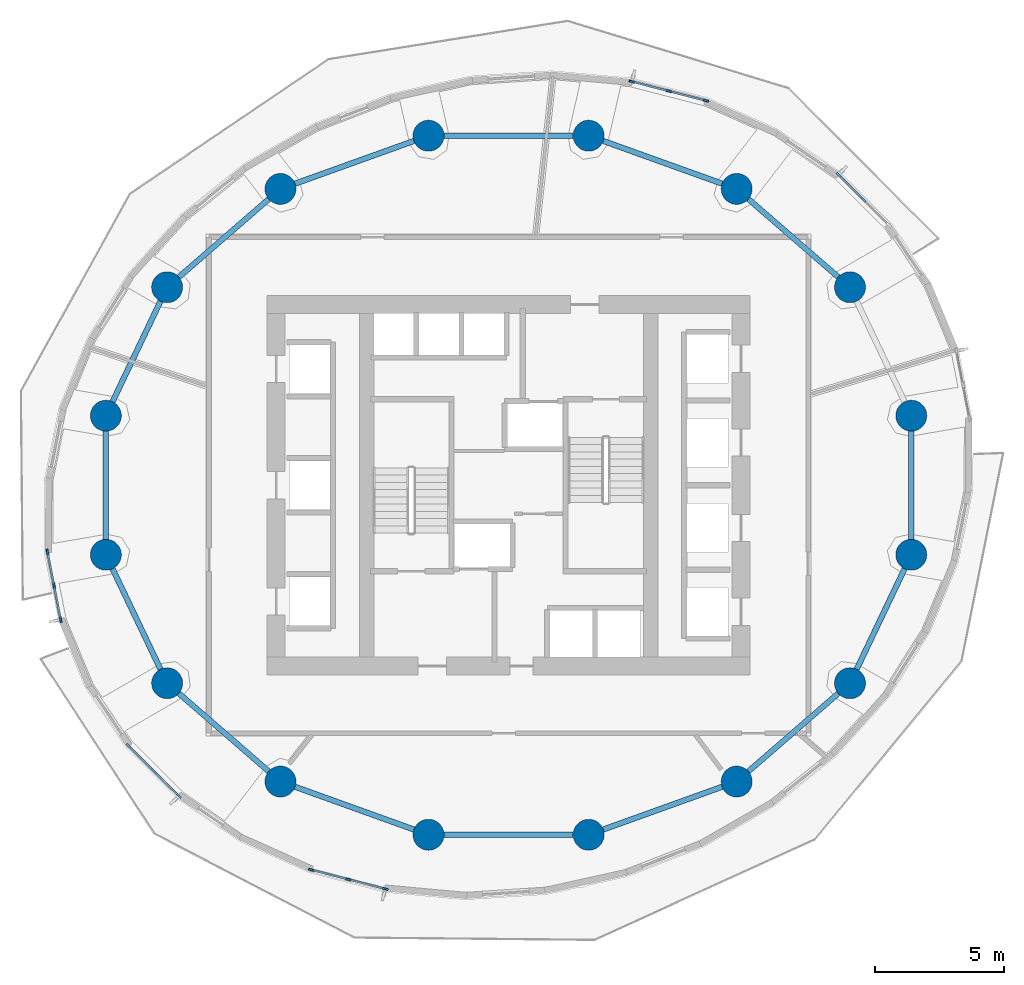
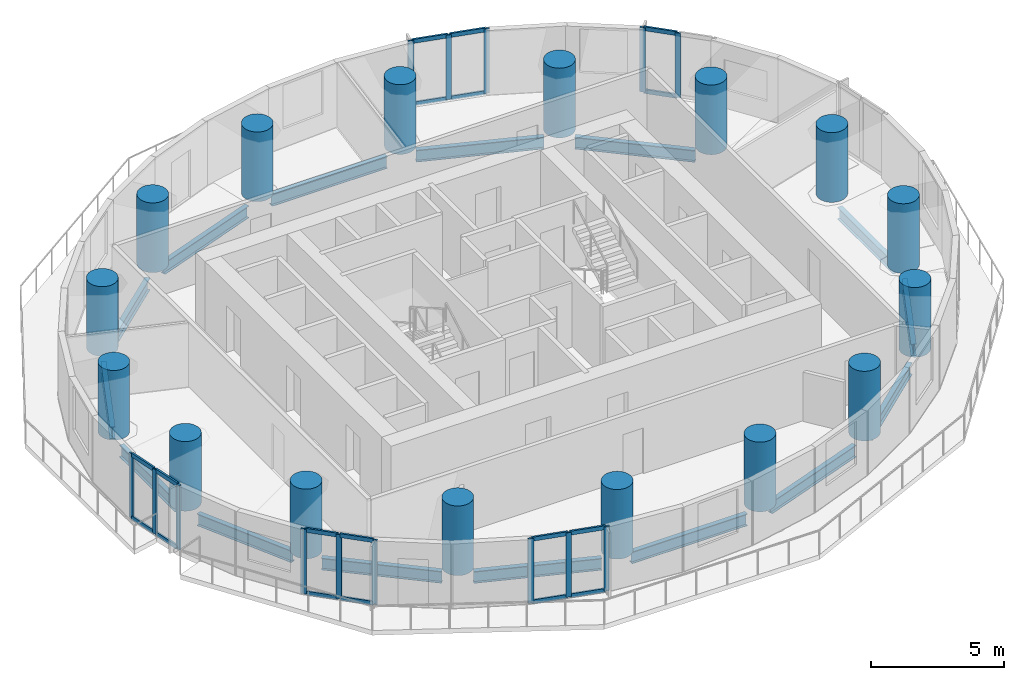
# One storey, part 1 of 10: 32 members, 16 columns, 15 beams, 5 elements without a shape of their own.
"""IFC4 building model written with IfcOpenShell, lengths in metres."""

from ifc_helpers import new_model, si_unit, direction, frame, origin, origin_2d, place, context, subcontext, project, spatial, rectangle, circle, i_section, extrude, material, material_profile, profile_set, type_object, element, aggregate, save


model = new_model("IFC4")

# Units and contexts
model_context = context("Model", 3, precision=1e-05, world=origin(), true_north=direction((0.0, 1.0)))
body_context = subcontext(model_context, "Body", "Model", "MODEL_VIEW")
ifc_project = project(units=[si_unit("LENGTHUNIT", "METRE"), si_unit("AREAUNIT", "SQUARE_METRE"), si_unit("VOLUMEUNIT", "CUBIC_METRE"), si_unit("PLANEANGLEUNIT", "RADIAN"), si_unit("MASSUNIT", "GRAM", prefix="KILO")], contexts=[model_context])

# Site, building, storey
site_placement = place(None, origin())
site = spatial("IfcSite", under=ifc_project, at=site_placement, CompositionType="ELEMENT")
building_placement = place(site_placement, origin())
building = spatial("IfcBuilding", under=site, at=building_placement, Name="Veldorim Arch Residences", CompositionType="ELEMENT")
storey_placement = place(building_placement, frame((0.0, 0.0, 70.8798828125)))
storey = spatial("IfcBuildingStorey", under=building, at=storey_placement, Name="L20", CompositionType="ELEMENT", Elevation=70.8798828125)

# Columns
ifc_material_1 = material(Name="Concrete C60/75", Category="concrete")
ifc_material_profile_1 = material_profile(ifc_material_1, circle(Radius=0.60009765625, at=origin_2d()), Name="RC_CIRC_1200")
ifc_profile_set_1 = profile_set([ifc_material_profile_1], Name="Concrete C60/75")
column_type = type_object("IfcColumnType", Name="Structural Column RC_CIRC_1200", PredefinedType="COLUMN", material=ifc_profile_set_1)
for number, where, z_axis, x_axis, name in (
    (1, (47.594482421875, 26.692138671875, 0.0), (0.0, 0.0, 1.0), (1.0, 0.0, 0.0), "L20 TC-Z2-01 perimeter column"),
    (2, (45.220458984375, 31.6669921875, 0.0), (0.0, 0.0, 1.0), (1.0, 0.0, 0.0), "L20 TC-Z2-02 perimeter column"),
    (3, (40.83349609375, 35.474365234375, 0.0), (0.0, 0.0, 1.0), (1.0, 0.0, 0.0), "L20 TC-Z2-03 perimeter column"),
    (4, (35.101806640625, 37.534912109375, 0.0), (0.0, 0.0, 1.0), (1.0, 0.0, 0.0), "L20 TC-Z2-04 perimeter column"),
    (5, (28.898193359375, 37.534912109375, 0.0), (0.0, 0.0, 1.0), (1.0, 0.0, 0.0), "L20 TC-Z2-05 perimeter column"),
    (6, (23.16650390625, 35.474365234375, 0.0), (0.0, 0.0, 1.0), (1.0, 0.0, 0.0), "L20 TC-Z2-06 perimeter column"),
    (7, (18.779541015625, 31.6669921875, 0.0), (0.0, 0.0, 1.0), (1.0, 0.0, 0.0), "L20 TC-Z2-07 perimeter column"),
    (8, (16.405517578125, 26.692138671875, 0.0), (0.0, 0.0, 1.0), (1.0, 0.0, 0.0), "L20 TC-Z2-08 perimeter column"),
    (9, (16.405517578125, 21.307861328125, 0.0), (0.0, 0.0, 1.0), (1.0, 0.0, 0.0), "L20 TC-Z2-09 perimeter column"),
    (10, (18.779541015625, 16.3330078125, 0.0), (0.0, 0.0, 1.0), (1.0, 0.0, 0.0), "L20 TC-Z2-10 perimeter column"),
    (11, (23.16650390625, 12.525634765625, 0.0), (0.0, 0.0, 1.0), (1.0, 0.0, 0.0), "L20 TC-Z2-11 perimeter column"),
    (12, (28.898193359375, 10.465087890625, 0.0), (0.0, 0.0, 1.0), (1.0, 0.0, 0.0), "L20 TC-Z2-12 perimeter column"),
    (13, (35.101806640625, 10.465087890625, 0.0), (0.0, 0.0, 1.0), (1.0, 0.0, 0.0), "L20 TC-Z2-13 perimeter column"),
    (14, (40.83349609375, 12.525634765625, 0.0), (0.0, 0.0, 1.0), (1.0, 0.0, 0.0), "L20 TC-Z2-14 perimeter column"),
    (15, (45.220458984375, 16.3330078125, 0.0), (0.0, 0.0, 1.0), (1.0, 0.0, 0.0), "L20 TC-Z2-15 perimeter column"),
    (16, (47.594482421875, 21.307861328125, 0.0), (0.0, 0.0, 1.0), (1.0, 0.0, 0.0), "L20 TC-Z2-16 perimeter column"),
):
    element("IfcColumn", number, at=place(storey_placement, frame(where, z_axis=z_axis, x_axis=x_axis)), inside=storey, type_object=column_type, Name=name, PredefinedType="COLUMN", context=body_context, shape_type="SweptSolid", body=[
        extrude(circle(Radius=0.60009765625, at=origin_2d()), origin(), (0.0, 0.0, 1.0), 3.2001953125),
    ])

# Curtain wall, members
ifc_material_2 = material(Name="Aluminium", Category="aluminium")
curtain_wall_type = type_object("IfcCurtainWallType", Name="Sky Lounge & Conservatory Tall Curtain Wall", PredefinedType="NOTDEFINED", material=ifc_material_2)
curtain_wall_1_placement = place(storey_placement, origin())
curtain_wall_1 = element("IfcCurtainWall", 17, at=curtain_wall_1_placement, inside=storey, type_object=curtain_wall_type, Name="L20 unitised curtain wall bay 03", PredefinedType="NOTDEFINED")
ifc_material_3 = material(Name="Aluminium", Category="aluminium")
ifc_material_profile_2 = material_profile(ifc_material_3, rectangle(XDim=0.080078125, YDim=0.219970703125, at=origin_2d()), Name="ALU_MUL_80x220")
ifc_profile_set_2 = profile_set([ifc_material_profile_2], Name="Aluminium")
member_type_1 = type_object("IfcMemberType", Name="Sky Lounge & Conservatory Tall Curtain Wall Mullion 80x220", PredefinedType="MULLION", material=ifc_profile_set_2)
member_1_placement = place(storey_placement, frame((44.770263671875, 36.0263671875, 0.0), z_axis=(0.0, 0.0, 1.0), x_axis=(0.706577179529, 0.707635986485, 0.0)))
member_1 = element("IfcMember", 18, at=member_1_placement, type_object=member_type_1, Name="CW-SKY mullion 1", PredefinedType="MULLION", context=body_context, shape_type="SweptSolid", body=[
    extrude(rectangle(XDim=0.080078125, YDim=0.219970703125, at=origin_2d()), origin(), (0.0, 0.0, 1.0), 2.960205078125),
])
member_2_placement = place(storey_placement, frame((45.744384765625, 35.0537109375, 0.0), z_axis=(0.0, 0.0, 1.0), x_axis=(0.706577179529, 0.707635986485, 0.0)))
member_2 = element("IfcMember", 19, at=member_2_placement, type_object=member_type_1, Name="CW-SKY mullion 2", PredefinedType="MULLION", context=body_context, shape_type="SweptSolid", body=[
    extrude(rectangle(XDim=0.080078125, YDim=0.219970703125, at=origin_2d()), origin(), (0.0, 0.0, 1.0), 2.960205078125),
])

curtain_wall_2_placement = place(storey_placement, origin())
curtain_wall_2 = element("IfcCurtainWall", 20, at=curtain_wall_2_placement, inside=storey, type_object=curtain_wall_type, Name="L20 unitised curtain wall bay 06", PredefinedType="NOTDEFINED")
member_3_placement = place(storey_placement, frame((36.77294921875, 39.63232421875, 0.0), z_axis=(0.0, 0.0, 1.0), x_axis=(0.250295673853, 0.968169445733, 0.0)))
member_3 = element("IfcMember", 21, at=member_3_placement, type_object=member_type_1, Name="CW-SKY mullion 1", PredefinedType="MULLION", context=body_context, shape_type="SweptSolid", body=[
    extrude(rectangle(XDim=0.080078125, YDim=0.219970703125, at=origin_2d()), origin(), (0.0, 0.0, 1.0), 2.960205078125),
])
member_4_placement = place(storey_placement, frame((38.206298828125, 39.26171875, 0.0), z_axis=(0.0, 0.0, 1.0), x_axis=(0.250295673853, 0.968169445733, 0.0)))
member_4 = element("IfcMember", 22, at=member_4_placement, type_object=member_type_1, Name="CW-SKY mullion 2", PredefinedType="MULLION", context=body_context, shape_type="SweptSolid", body=[
    extrude(rectangle(XDim=0.080078125, YDim=0.219970703125, at=origin_2d()), origin(), (0.0, 0.0, 1.0), 2.960205078125),
])
member_5_placement = place(storey_placement, frame((39.639892578125, 38.89111328125, 0.0), z_axis=(0.0, 0.0, 1.0), x_axis=(0.250295673853, 0.968169445733, 0.0)))
member_5 = element("IfcMember", 23, at=member_5_placement, type_object=member_type_1, Name="CW-SKY mullion 3", PredefinedType="MULLION", context=body_context, shape_type="SweptSolid", body=[
    extrude(rectangle(XDim=0.080078125, YDim=0.219970703125, at=origin_2d()), origin(), (0.0, 0.0, 1.0), 2.960205078125),
])

curtain_wall_3_placement = place(storey_placement, origin())
curtain_wall_3 = element("IfcCurtainWall", 24, at=curtain_wall_3_placement, inside=storey, type_object=curtain_wall_type, Name="L20 unitised curtain wall bay 18", PredefinedType="NOTDEFINED")
member_6_placement = place(storey_placement, frame((14.657470703125, 18.796142578125, 0.0), z_axis=(0.0, 0.0, 1.0), x_axis=(-0.981476790572, -0.191581078313, 0.0)))
member_6 = element("IfcMember", 25, at=member_6_placement, type_object=member_type_1, Name="CW-SKY mullion 1", PredefinedType="MULLION", context=body_context, shape_type="SweptSolid", body=[
    extrude(rectangle(XDim=0.080078125, YDim=0.219970703125, at=origin_2d()), origin(), (0.0, 0.0, 1.0), 2.960205078125),
])
member_7_placement = place(storey_placement, frame((14.40087890625, 20.110107421875, 0.0), z_axis=(0.0, 0.0, 1.0), x_axis=(-0.981476790572, -0.191581078313, 0.0)))
member_7 = element("IfcMember", 26, at=member_7_placement, type_object=member_type_1, Name="CW-SKY mullion 2", PredefinedType="MULLION", context=body_context, shape_type="SweptSolid", body=[
    extrude(rectangle(XDim=0.080078125, YDim=0.219970703125, at=origin_2d()), origin(), (0.0, 0.0, 1.0), 2.960205078125),
])
member_8_placement = place(storey_placement, frame((14.14453125, 21.424072265625, 0.0), z_axis=(0.0, 0.0, 1.0), x_axis=(-0.981476790572, -0.191581078313, 0.0)))
member_8 = element("IfcMember", 27, at=member_8_placement, type_object=member_type_1, Name="CW-SKY mullion 3", PredefinedType="MULLION", context=body_context, shape_type="SweptSolid", body=[
    extrude(rectangle(XDim=0.080078125, YDim=0.219970703125, at=origin_2d()), origin(), (0.0, 0.0, 1.0), 2.960205078125),
])

curtain_wall_4_placement = place(storey_placement, origin())
curtain_wall_4 = element("IfcCurtainWall", 28, at=curtain_wall_4_placement, inside=storey, type_object=curtain_wall_type, Name="L20 unitised curtain wall bay 21", PredefinedType="NOTDEFINED")
member_9_placement = place(storey_placement, frame((19.229736328125, 11.9736328125, 0.0), z_axis=(0.0, 0.0, 1.0), x_axis=(-0.706577179529, -0.707635986485, 0.0)))
member_9 = element("IfcMember", 29, at=member_9_placement, type_object=member_type_1, Name="CW-SKY mullion 1", PredefinedType="MULLION", context=body_context, shape_type="SweptSolid", body=[
    extrude(rectangle(XDim=0.080078125, YDim=0.219970703125, at=origin_2d()), origin(), (0.0, 0.0, 1.0), 2.960205078125),
])
member_10_placement = place(storey_placement, frame((18.255615234375, 12.9462890625, 0.0), z_axis=(0.0, 0.0, 1.0), x_axis=(-0.706577179529, -0.707635986485, 0.0)))
member_10 = element("IfcMember", 30, at=member_10_placement, type_object=member_type_1, Name="CW-SKY mullion 2", PredefinedType="MULLION", context=body_context, shape_type="SweptSolid", body=[
    extrude(rectangle(XDim=0.080078125, YDim=0.219970703125, at=origin_2d()), origin(), (0.0, 0.0, 1.0), 2.960205078125),
])
member_11_placement = place(storey_placement, frame((17.28125, 13.9189453125, 0.0), z_axis=(0.0, 0.0, 1.0), x_axis=(-0.706577179529, -0.707635986485, 0.0)))
member_11 = element("IfcMember", 31, at=member_11_placement, type_object=member_type_1, Name="CW-SKY mullion 3", PredefinedType="MULLION", context=body_context, shape_type="SweptSolid", body=[
    extrude(rectangle(XDim=0.080078125, YDim=0.219970703125, at=origin_2d()), origin(), (0.0, 0.0, 1.0), 2.960205078125),
])

curtain_wall_5_placement = place(storey_placement, origin())
curtain_wall_5 = element("IfcCurtainWall", 32, at=curtain_wall_5_placement, inside=storey, type_object=curtain_wall_type, Name="L20 unitised curtain wall bay 24", PredefinedType="NOTDEFINED")
member_12_placement = place(storey_placement, frame((27.22705078125, 8.36767578125, 0.0), z_axis=(0.0, 0.0, 1.0), x_axis=(-0.250295673853, -0.968169445733, 0.0)))
member_12 = element("IfcMember", 33, at=member_12_placement, type_object=member_type_1, Name="CW-SKY mullion 1", PredefinedType="MULLION", context=body_context, shape_type="SweptSolid", body=[
    extrude(rectangle(XDim=0.080078125, YDim=0.219970703125, at=origin_2d()), origin(), (0.0, 0.0, 1.0), 2.960205078125),
])
member_13_placement = place(storey_placement, frame((25.793701171875, 8.73828125, 0.0), z_axis=(0.0, 0.0, 1.0), x_axis=(-0.250295673853, -0.968169445733, 0.0)))
member_13 = element("IfcMember", 34, at=member_13_placement, type_object=member_type_1, Name="CW-SKY mullion 2", PredefinedType="MULLION", context=body_context, shape_type="SweptSolid", body=[
    extrude(rectangle(XDim=0.080078125, YDim=0.219970703125, at=origin_2d()), origin(), (0.0, 0.0, 1.0), 2.960205078125),
])
member_14_placement = place(storey_placement, frame((24.360107421875, 9.10888671875, 0.0), z_axis=(0.0, 0.0, 1.0), x_axis=(-0.250295673853, -0.968169445733, 0.0)))
member_14 = element("IfcMember", 35, at=member_14_placement, type_object=member_type_1, Name="CW-SKY mullion 3", PredefinedType="MULLION", context=body_context, shape_type="SweptSolid", body=[
    extrude(rectangle(XDim=0.080078125, YDim=0.219970703125, at=origin_2d()), origin(), (0.0, 0.0, 1.0), 2.960205078125),
])

# Member
ifc_material_4 = material(Name="Aluminium", Category="aluminium")
ifc_material_profile_3 = material_profile(ifc_material_4, rectangle(XDim=0.080078125, YDim=0.18505859375, at=origin_2d()), Name="ALU_TRN_80x185")
ifc_profile_set_3 = profile_set([ifc_material_profile_3], Name="Aluminium")
member_type_2 = type_object("IfcMemberType", Name="Sky Lounge & Conservatory Tall Curtain Wall Transom 80x185", PredefinedType="USERDEFINED", material=ifc_profile_set_3)
member_15_placement = place(storey_placement, frame((44.798583984375, 35.998291015625, 0.0400390625), z_axis=(0.707671337229, -0.706541774041, 0.0), x_axis=(0.706541774041, 0.707671337229, 0.0)))
member_15 = element("IfcMember", 36, at=member_15_placement, type_object=member_type_2, Name="CW-SKY transom 1.1", ObjectType="TRANSOM", PredefinedType="USERDEFINED", context=body_context, shape_type="SweptSolid", body=[
    extrude(rectangle(XDim=0.080078125, YDim=0.18505859375, at=origin_2d()), origin(), (0.0, 0.0, 1.0), 1.296875),
])

member_16_placement = place(storey_placement, frame((44.798583984375, 35.998291015625, 2.920166015625), z_axis=(0.707671337229, -0.706541774041, 0.0), x_axis=(0.706541774041, 0.707671337229, 0.0)))
member_16 = element("IfcMember", 37, at=member_16_placement, type_object=member_type_2, Name="CW-SKY transom 1.2", ObjectType="TRANSOM", PredefinedType="USERDEFINED", context=body_context, shape_type="SweptSolid", body=[
    extrude(rectangle(XDim=0.080078125, YDim=0.18505859375, at=origin_2d()), origin(), (0.0, 0.0, 1.0), 1.296875),
])

aggregate(curtain_wall_1, [member_1, member_2, member_15, member_16])

member_17_placement = place(storey_placement, frame((36.811767578125, 39.622314453125, 0.0400390625), z_axis=(0.968162937765, -0.25032084599, 0.0), x_axis=(0.25032084599, 0.968162937765, 0.0)))
member_17 = element("IfcMember", 38, at=member_17_placement, type_object=member_type_2, Name="CW-SKY transom 1.1", ObjectType="TRANSOM", PredefinedType="USERDEFINED", context=body_context, shape_type="SweptSolid", body=[
    extrude(rectangle(XDim=0.080078125, YDim=0.18505859375, at=origin_2d()), origin(), (0.0, 0.0, 1.0), 1.400634765625),
])

member_18_placement = place(storey_placement, frame((36.811767578125, 39.622314453125, 2.920166015625), z_axis=(0.968162937765, -0.25032084599, 0.0), x_axis=(0.25032084599, 0.968162937765, 0.0)))
member_18 = element("IfcMember", 39, at=member_18_placement, type_object=member_type_2, Name="CW-SKY transom 1.2", ObjectType="TRANSOM", PredefinedType="USERDEFINED", context=body_context, shape_type="SweptSolid", body=[
    extrude(rectangle(XDim=0.080078125, YDim=0.18505859375, at=origin_2d()), origin(), (0.0, 0.0, 1.0), 1.400634765625),
])

member_19_placement = place(storey_placement, frame((38.2451171875, 39.251708984375, 0.0400390625), z_axis=(0.968162937765, -0.25032084599, 0.0), x_axis=(0.25032084599, 0.968162937765, 0.0)))
member_19 = element("IfcMember", 40, at=member_19_placement, type_object=member_type_2, Name="CW-SKY transom 2.1", ObjectType="TRANSOM", PredefinedType="USERDEFINED", context=body_context, shape_type="SweptSolid", body=[
    extrude(rectangle(XDim=0.080078125, YDim=0.18505859375, at=origin_2d()), origin(), (0.0, 0.0, 1.0), 1.400634765625),
])

member_20_placement = place(storey_placement, frame((38.2451171875, 39.251708984375, 2.920166015625), z_axis=(0.968162937765, -0.25032084599, 0.0), x_axis=(0.25032084599, 0.968162937765, 0.0)))
member_20 = element("IfcMember", 41, at=member_20_placement, type_object=member_type_2, Name="CW-SKY transom 2.2", ObjectType="TRANSOM", PredefinedType="USERDEFINED", context=body_context, shape_type="SweptSolid", body=[
    extrude(rectangle(XDim=0.080078125, YDim=0.18505859375, at=origin_2d()), origin(), (0.0, 0.0, 1.0), 1.400634765625),
])

aggregate(curtain_wall_2, [member_3, member_4, member_5, member_17, member_18, member_19, member_20])

member_21_placement = place(storey_placement, frame((14.649658203125, 18.835205078125, 0.0400390625), z_axis=(-0.191414668679, 0.981509258547, 0.0), x_axis=(-0.981509258547, -0.191414668679, 0.0)))
member_21 = element("IfcMember", 42, at=member_21_placement, type_object=member_type_2, Name="CW-SKY transom 1.1", ObjectType="TRANSOM", PredefinedType="USERDEFINED", context=body_context, shape_type="SweptSolid", body=[
    extrude(rectangle(XDim=0.080078125, YDim=0.18505859375, at=origin_2d()), origin(), (0.0, 0.0, 1.0), 1.2587890625),
])

member_22_placement = place(storey_placement, frame((14.649658203125, 18.835205078125, 2.920166015625), z_axis=(-0.191414668679, 0.981509258547, 0.0), x_axis=(-0.981509258547, -0.191414668679, 0.0)))
member_22 = element("IfcMember", 43, at=member_22_placement, type_object=member_type_2, Name="CW-SKY transom 1.2", ObjectType="TRANSOM", PredefinedType="USERDEFINED", context=body_context, shape_type="SweptSolid", body=[
    extrude(rectangle(XDim=0.080078125, YDim=0.18505859375, at=origin_2d()), origin(), (0.0, 0.0, 1.0), 1.2587890625),
])

member_23_placement = place(storey_placement, frame((14.393310546875, 20.1494140625, 0.0400390625), z_axis=(-0.191637963791, 0.981465685001, 0.0), x_axis=(-0.981465685001, -0.191637963791, 0.0)))
member_23 = element("IfcMember", 44, at=member_23_placement, type_object=member_type_2, Name="CW-SKY transom 2.1", ObjectType="TRANSOM", PredefinedType="USERDEFINED", context=body_context, shape_type="SweptSolid", body=[
    extrude(rectangle(XDim=0.080078125, YDim=0.18505859375, at=origin_2d()), origin(), (0.0, 0.0, 1.0), 1.2587890625),
])

member_24_placement = place(storey_placement, frame((14.393310546875, 20.1494140625, 2.920166015625), z_axis=(-0.191637963791, 0.981465685001, 0.0), x_axis=(-0.981465685001, -0.191637963791, 0.0)))
member_24 = element("IfcMember", 45, at=member_24_placement, type_object=member_type_2, Name="CW-SKY transom 2.2", ObjectType="TRANSOM", PredefinedType="USERDEFINED", context=body_context, shape_type="SweptSolid", body=[
    extrude(rectangle(XDim=0.080078125, YDim=0.18505859375, at=origin_2d()), origin(), (0.0, 0.0, 1.0), 1.2587890625),
])

aggregate(curtain_wall_3, [member_6, member_7, member_8, member_21, member_22, member_23, member_24])

member_25_placement = place(storey_placement, frame((19.201416015625, 12.001708984375, 0.0400390625), z_axis=(-0.707671337229, 0.706541774041, 0.0), x_axis=(-0.706541774041, -0.707671337229, 0.0)))
member_25 = element("IfcMember", 46, at=member_25_placement, type_object=member_type_2, Name="CW-SKY transom 1.1", ObjectType="TRANSOM", PredefinedType="USERDEFINED", context=body_context, shape_type="SweptSolid", body=[
    extrude(rectangle(XDim=0.080078125, YDim=0.18505859375, at=origin_2d()), origin(), (0.0, 0.0, 1.0), 1.296875),
])

member_26_placement = place(storey_placement, frame((19.201416015625, 12.001708984375, 2.920166015625), z_axis=(-0.707671337229, 0.706541774041, 0.0), x_axis=(-0.706541774041, -0.707671337229, 0.0)))
member_26 = element("IfcMember", 47, at=member_26_placement, type_object=member_type_2, Name="CW-SKY transom 1.2", ObjectType="TRANSOM", PredefinedType="USERDEFINED", context=body_context, shape_type="SweptSolid", body=[
    extrude(rectangle(XDim=0.080078125, YDim=0.18505859375, at=origin_2d()), origin(), (0.0, 0.0, 1.0), 1.296875),
])

member_27_placement = place(storey_placement, frame((18.227294921875, 12.974609375, 0.0400390625), z_axis=(-0.707671337229, 0.706541774041, 0.0), x_axis=(-0.706541774041, -0.707671337229, 0.0)))
member_27 = element("IfcMember", 48, at=member_27_placement, type_object=member_type_2, Name="CW-SKY transom 2.1", ObjectType="TRANSOM", PredefinedType="USERDEFINED", context=body_context, shape_type="SweptSolid", body=[
    extrude(rectangle(XDim=0.080078125, YDim=0.18505859375, at=origin_2d()), origin(), (0.0, 0.0, 1.0), 1.296875),
])

member_28_placement = place(storey_placement, frame((18.227294921875, 12.974609375, 2.920166015625), z_axis=(-0.707671337229, 0.706541774041, 0.0), x_axis=(-0.706541774041, -0.707671337229, 0.0)))
member_28 = element("IfcMember", 49, at=member_28_placement, type_object=member_type_2, Name="CW-SKY transom 2.2", ObjectType="TRANSOM", PredefinedType="USERDEFINED", context=body_context, shape_type="SweptSolid", body=[
    extrude(rectangle(XDim=0.080078125, YDim=0.18505859375, at=origin_2d()), origin(), (0.0, 0.0, 1.0), 1.296875),
])

aggregate(curtain_wall_4, [member_9, member_10, member_11, member_25, member_26, member_27, member_28])

member_29_placement = place(storey_placement, frame((27.188232421875, 8.377685546875, 0.0400390625), z_axis=(-0.968162937765, 0.25032084599, 0.0), x_axis=(-0.25032084599, -0.968162937765, 0.0)))
member_29 = element("IfcMember", 50, at=member_29_placement, type_object=member_type_2, Name="CW-SKY transom 1.1", ObjectType="TRANSOM", PredefinedType="USERDEFINED", context=body_context, shape_type="SweptSolid", body=[
    extrude(rectangle(XDim=0.080078125, YDim=0.18505859375, at=origin_2d()), origin(), (0.0, 0.0, 1.0), 1.400634765625),
])

member_30_placement = place(storey_placement, frame((27.188232421875, 8.377685546875, 2.920166015625), z_axis=(-0.968162937765, 0.25032084599, 0.0), x_axis=(-0.25032084599, -0.968162937765, 0.0)))
member_30 = element("IfcMember", 51, at=member_30_placement, type_object=member_type_2, Name="CW-SKY transom 1.2", ObjectType="TRANSOM", PredefinedType="USERDEFINED", context=body_context, shape_type="SweptSolid", body=[
    extrude(rectangle(XDim=0.080078125, YDim=0.18505859375, at=origin_2d()), origin(), (0.0, 0.0, 1.0), 1.400634765625),
])

member_31_placement = place(storey_placement, frame((25.7548828125, 8.748291015625, 0.0400390625), z_axis=(-0.968162937765, 0.25032084599, 0.0), x_axis=(-0.25032084599, -0.968162937765, 0.0)))
member_31 = element("IfcMember", 52, at=member_31_placement, type_object=member_type_2, Name="CW-SKY transom 2.1", ObjectType="TRANSOM", PredefinedType="USERDEFINED", context=body_context, shape_type="SweptSolid", body=[
    extrude(rectangle(XDim=0.080078125, YDim=0.18505859375, at=origin_2d()), origin(), (0.0, 0.0, 1.0), 1.400634765625),
])

member_32_placement = place(storey_placement, frame((25.7548828125, 8.748291015625, 2.920166015625), z_axis=(-0.968162937765, 0.25032084599, 0.0), x_axis=(-0.25032084599, -0.968162937765, 0.0)))
member_32 = element("IfcMember", 53, at=member_32_placement, type_object=member_type_2, Name="CW-SKY transom 2.2", ObjectType="TRANSOM", PredefinedType="USERDEFINED", context=body_context, shape_type="SweptSolid", body=[
    extrude(rectangle(XDim=0.080078125, YDim=0.18505859375, at=origin_2d()), origin(), (0.0, 0.0, 1.0), 1.400634765625),
])

aggregate(curtain_wall_5, [member_12, member_13, member_14, member_29, member_30, member_31, member_32])

# Beams
ifc_material_5 = material(Name="Steel S355", Category="steel")
ifc_material_profile_4 = material_profile(ifc_material_5, i_section(OverallWidth=0.2119140625, OverallDepth=0.54443359375, WebThickness=0.0126953125, FlangeThickness=0.021240234375, at=origin_2d()), Name="UB533x210x122")
ifc_profile_set_4 = profile_set([ifc_material_profile_4], Name="Steel S355")
beam_type = type_object("IfcBeamType", Name="Structural Steel Beam UB533x210x122", PredefinedType="BEAM", material=ifc_profile_set_4)
beam_1_placement = place(storey_placement, frame((44.767333984375, 32.060302734375, -0.511962890625), z_axis=(-0.755244952556, 0.655442645576, 0.0), x_axis=(-0.655442645576, -0.755244952556, 0.0)))
element("IfcBeam", 54, at=beam_1_placement, inside=storey, type_object=beam_type, Name="L20 perimeter ring tie beam 02", PredefinedType="BEAM", context=body_context, shape_type="SweptSolid", body=[
    extrude(i_section(OverallWidth=0.2119140625, OverallDepth=0.54443359375, WebThickness=0.0126953125, FlangeThickness=0.021240234375, at=origin_2d()), origin(), (0.0, 0.0, 1.0), 4.608642578125),
])
beam_2_placement = place(storey_placement, frame((40.26904296875, 35.67724609375, -0.511962890625), z_axis=(-0.941041944493, 0.338289903343, 0.0), x_axis=(-0.338289903343, -0.941041944493, 0.0)))
element("IfcBeam", 55, at=beam_2_placement, inside=storey, type_object=beam_type, Name="L20 perimeter ring tie beam 03", PredefinedType="BEAM", context=body_context, shape_type="SweptSolid", body=[
    extrude(i_section(OverallWidth=0.2119140625, OverallDepth=0.54443359375, WebThickness=0.0126953125, FlangeThickness=0.021240234375, at=origin_2d()), origin(), (0.0, 0.0, 1.0), 4.890869140625),
])
beam_3_placement = place(storey_placement, frame((34.501953125, 37.534912109375, -0.511962890625), z_axis=(-1.0, 0.0, 0.0), x_axis=(0.0, -1.0, 0.0)))
element("IfcBeam", 56, at=beam_3_placement, inside=storey, type_object=beam_type, Name="L20 perimeter ring tie beam 04", PredefinedType="BEAM", context=body_context, shape_type="SweptSolid", body=[
    extrude(i_section(OverallWidth=0.2119140625, OverallDepth=0.54443359375, WebThickness=0.0126953125, FlangeThickness=0.021240234375, at=origin_2d()), origin(), (0.0, 0.0, 1.0), 5.00390625),
])
beam_4_placement = place(storey_placement, frame((28.33349609375, 37.331787109375, -0.511962890625), z_axis=(-0.941041944493, -0.338289903343, 0.0), x_axis=(0.338289903343, -0.941041944493, 0.0)))
element("IfcBeam", 57, at=beam_4_placement, inside=storey, type_object=beam_type, Name="L20 perimeter ring tie beam 05", PredefinedType="BEAM", context=body_context, shape_type="SweptSolid", body=[
    extrude(i_section(OverallWidth=0.2119140625, OverallDepth=0.54443359375, WebThickness=0.0126953125, FlangeThickness=0.021240234375, at=origin_2d()), origin(), (0.0, 0.0, 1.0), 4.890869140625),
])
beam_5_placement = place(storey_placement, frame((22.71337890625, 35.0810546875, -0.511962890625), z_axis=(-0.755244952556, -0.655442645576, 0.0), x_axis=(0.655442645576, -0.755244952556, 0.0)))
element("IfcBeam", 58, at=beam_5_placement, inside=storey, type_object=beam_type, Name="L20 perimeter ring tie beam 06", PredefinedType="BEAM", context=body_context, shape_type="SweptSolid", body=[
    extrude(i_section(OverallWidth=0.2119140625, OverallDepth=0.54443359375, WebThickness=0.0126953125, FlangeThickness=0.021240234375, at=origin_2d()), origin(), (0.0, 0.0, 1.0), 4.608642578125),
])
beam_6_placement = place(storey_placement, frame((18.521240234375, 31.12548828125, -0.511962890625), z_axis=(-0.430720154476, -0.902485539235, 0.0), x_axis=(0.902485539235, -0.430720154476, 0.0)))
element("IfcBeam", 59, at=beam_6_placement, inside=storey, type_object=beam_type, Name="L20 perimeter ring tie beam 07", PredefinedType="BEAM", context=body_context, shape_type="SweptSolid", body=[
    extrude(i_section(OverallWidth=0.2119140625, OverallDepth=0.54443359375, WebThickness=0.0126953125, FlangeThickness=0.021240234375, at=origin_2d()), origin(), (0.0, 0.0, 1.0), 4.312255859375),
])
beam_7_placement = place(storey_placement, frame((16.405517578125, 26.09228515625, -0.511962890625), z_axis=(0.0, -1.0, 0.0), x_axis=(1.0, 0.0, 0.0)))
element("IfcBeam", 60, at=beam_7_placement, inside=storey, type_object=beam_type, Name="L20 perimeter ring tie beam 08", PredefinedType="BEAM", context=body_context, shape_type="SweptSolid", body=[
    extrude(i_section(OverallWidth=0.2119140625, OverallDepth=0.54443359375, WebThickness=0.0126953125, FlangeThickness=0.021240234375, at=origin_2d()), origin(), (0.0, 0.0, 1.0), 4.1845703125),
])
beam_8_placement = place(storey_placement, frame((16.663818359375, 20.766357421875, -0.511962890625), z_axis=(0.430720154476, -0.902485539235, 0.0), x_axis=(0.902485539235, 0.430720154476, 0.0)))
element("IfcBeam", 61, at=beam_8_placement, inside=storey, type_object=beam_type, Name="L20 perimeter ring tie beam 09", PredefinedType="BEAM", context=body_context, shape_type="SweptSolid", body=[
    extrude(i_section(OverallWidth=0.2119140625, OverallDepth=0.54443359375, WebThickness=0.0126953125, FlangeThickness=0.021240234375, at=origin_2d()), origin(), (0.0, 0.0, 1.0), 4.312255859375),
])
beam_9_placement = place(storey_placement, frame((19.232666015625, 15.939697265625, -0.511962890625), z_axis=(0.755244952556, -0.655442645576, 0.0), x_axis=(0.655442645576, 0.755244952556, 0.0)))
element("IfcBeam", 62, at=beam_9_placement, inside=storey, type_object=beam_type, Name="L20 perimeter ring tie beam 10", PredefinedType="BEAM", context=body_context, shape_type="SweptSolid", body=[
    extrude(i_section(OverallWidth=0.2119140625, OverallDepth=0.54443359375, WebThickness=0.0126953125, FlangeThickness=0.021240234375, at=origin_2d()), origin(), (0.0, 0.0, 1.0), 4.608642578125),
])
beam_10_placement = place(storey_placement, frame((23.73095703125, 12.32275390625, -0.511962890625), z_axis=(0.941041944493, -0.338289903343, 0.0), x_axis=(0.338289903343, 0.941041944493, 0.0)))
element("IfcBeam", 63, at=beam_10_placement, inside=storey, type_object=beam_type, Name="L20 perimeter ring tie beam 11", PredefinedType="BEAM", context=body_context, shape_type="SweptSolid", body=[
    extrude(i_section(OverallWidth=0.2119140625, OverallDepth=0.54443359375, WebThickness=0.0126953125, FlangeThickness=0.021240234375, at=origin_2d()), origin(), (0.0, 0.0, 1.0), 4.890869140625),
])
beam_11_placement = place(storey_placement, frame((29.498046875, 10.465087890625, -0.511962890625), z_axis=(1.0, 0.0, 0.0), x_axis=(0.0, 1.0, 0.0)))
element("IfcBeam", 64, at=beam_11_placement, inside=storey, type_object=beam_type, Name="L20 perimeter ring tie beam 12", PredefinedType="BEAM", context=body_context, shape_type="SweptSolid", body=[
    extrude(i_section(OverallWidth=0.2119140625, OverallDepth=0.54443359375, WebThickness=0.0126953125, FlangeThickness=0.021240234375, at=origin_2d()), origin(), (0.0, 0.0, 1.0), 5.00390625),
])
beam_12_placement = place(storey_placement, frame((35.66650390625, 10.668212890625, -0.511962890625), z_axis=(0.941041944493, 0.338289903343, 0.0), x_axis=(-0.338289903343, 0.941041944493, 0.0)))
element("IfcBeam", 65, at=beam_12_placement, inside=storey, type_object=beam_type, Name="L20 perimeter ring tie beam 13", PredefinedType="BEAM", context=body_context, shape_type="SweptSolid", body=[
    extrude(i_section(OverallWidth=0.2119140625, OverallDepth=0.54443359375, WebThickness=0.0126953125, FlangeThickness=0.021240234375, at=origin_2d()), origin(), (0.0, 0.0, 1.0), 4.890869140625),
])
beam_13_placement = place(storey_placement, frame((41.28662109375, 12.9189453125, -0.511962890625), z_axis=(0.755244952556, 0.655442645576, 0.0), x_axis=(-0.655442645576, 0.755244952556, 0.0)))
element("IfcBeam", 66, at=beam_13_placement, inside=storey, type_object=beam_type, Name="L20 perimeter ring tie beam 14", PredefinedType="BEAM", context=body_context, shape_type="SweptSolid", body=[
    extrude(i_section(OverallWidth=0.2119140625, OverallDepth=0.54443359375, WebThickness=0.0126953125, FlangeThickness=0.021240234375, at=origin_2d()), origin(), (0.0, 0.0, 1.0), 4.608642578125),
])
beam_14_placement = place(storey_placement, frame((45.478759765625, 16.87451171875, -0.511962890625), z_axis=(0.430720154476, 0.902485539235, 0.0), x_axis=(-0.902485539235, 0.430720154476, 0.0)))
element("IfcBeam", 67, at=beam_14_placement, inside=storey, type_object=beam_type, Name="L20 perimeter ring tie beam 15", PredefinedType="BEAM", context=body_context, shape_type="SweptSolid", body=[
    extrude(i_section(OverallWidth=0.2119140625, OverallDepth=0.54443359375, WebThickness=0.0126953125, FlangeThickness=0.021240234375, at=origin_2d()), origin(), (0.0, 0.0, 1.0), 4.312255859375),
])
beam_15_placement = place(storey_placement, frame((47.594482421875, 21.90771484375, -0.511962890625), z_axis=(0.0, 1.0, 0.0), x_axis=(-1.0, 0.0, 0.0)))
element("IfcBeam", 68, at=beam_15_placement, inside=storey, type_object=beam_type, Name="L20 perimeter ring tie beam 16", PredefinedType="BEAM", context=body_context, shape_type="SweptSolid", body=[
    extrude(i_section(OverallWidth=0.2119140625, OverallDepth=0.54443359375, WebThickness=0.0126953125, FlangeThickness=0.021240234375, at=origin_2d()), origin(), (0.0, 0.0, 1.0), 4.1845703125),
])

save(model, "model.ifc")
